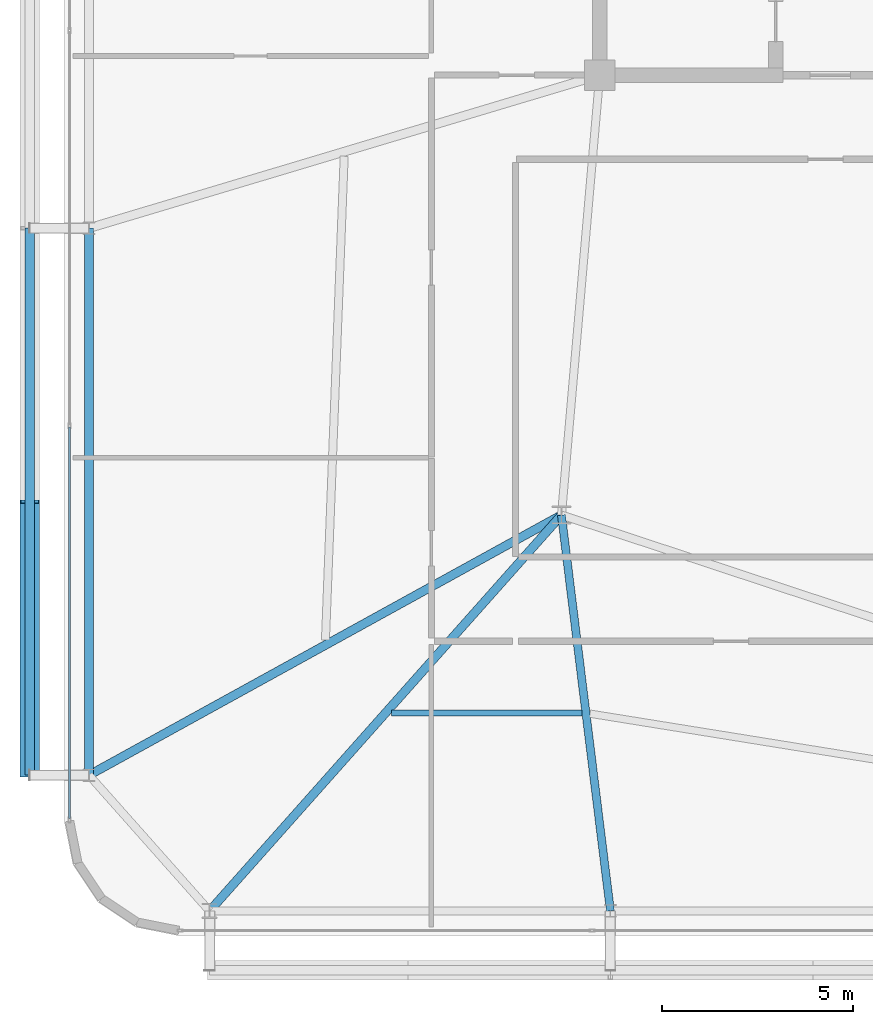
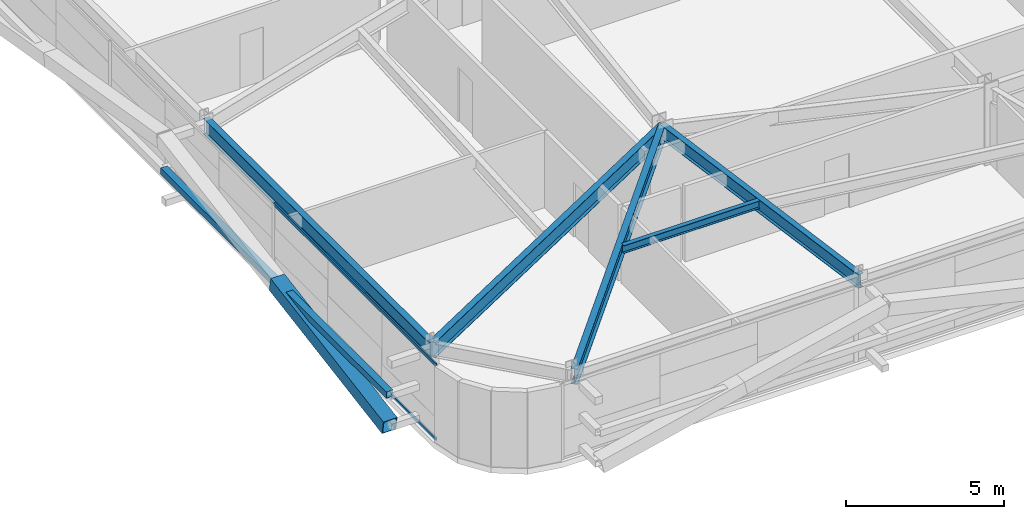
# One storey, part 7 of 44: 5 beams, 4 members, 1 element without a shape of its own.
"""IFC4 building model written with IfcOpenShell, lengths in metres."""

import ifcopenshell
import ifcopenshell.guid

model = None  # the IFC model being written
_history = None  # IfcOwnerHistory: only IFC2X3 demands one
_inside = {}  # id of a spatial element -> (the spatial element, [elements in it])
_under = {}  # id of a project, library or spatial element -> (it, [spatial elements below it])
_declared = {}  # id of a project -> (the project, [libraries it declares])
_typed = {}  # id of a type object -> (the type object, [elements of that type])
_made_of = {}  # id of a material, layer set ... -> (it, [elements and type objects made of it])


def new_model(schema):
    """Start an empty IFC model of exactly this schema.

    Asked for "IFC4X3", IfcOpenShell would pick the latest addendum, in which some entities
    have other attributes; the version numbers below select the first issue.
    IFC2X3 requires an IfcOwnerHistory on every rooted entity: one is made here for all.
    """
    global model, _history
    if schema == "IFC4X3":
        model = ifcopenshell.file(schema_version=(4, 3, 0, 0))
    else:
        model = ifcopenshell.file(schema=schema)
    _inside.clear()
    _under.clear()
    _declared.clear()
    _typed.clear()
    _made_of.clear()
    _history = None
    if model.schema == "IFC2X3":
        org = make("IfcOrganization", Name="unknown")
        user = make(
            "IfcPersonAndOrganization",
            ThePerson=make("IfcPerson", FamilyName="unknown"),
            TheOrganization=org,
        )
        app = make(
            "IfcApplication",
            ApplicationDeveloper=org,
            Version="unknown",
            ApplicationFullName="unknown",
            ApplicationIdentifier="unknown",
        )
        _history = make(
            "IfcOwnerHistory",
            OwningUser=user,
            OwningApplication=app,
            ChangeAction="ADDED",
            CreationDate=0,
        )
    return model


def make(cls, **values):
    """One entity of the class cls with the attributes given. An attribute that is None is left unset."""
    return model.create_entity(
        cls, **{name: value for name, value in values.items() if value is not None}
    )


def rooted(cls, **values):
    """An entity with a GlobalId (a new one), such as an element, a storey or a relation."""
    return make(cls, GlobalId=ifcopenshell.guid.new(), OwnerHistory=_history, **values)


def si_unit(unit_type, name, prefix=None):
    """IfcSIUnit, for example si_unit("LENGTHUNIT", "METRE", prefix="MILLI")."""
    return make("IfcSIUnit", UnitType=unit_type, Prefix=prefix, Name=name)


def assignment(units):
    """IfcUnitAssignment: the units of a project."""
    return None if units is None else make("IfcUnitAssignment", Units=units)


def point(xyz):
    """IfcCartesianPoint."""
    return None if xyz is None else make("IfcCartesianPoint", Coordinates=xyz)


def direction(xyz):
    """IfcDirection."""
    return None if xyz is None else make("IfcDirection", DirectionRatios=xyz)


def frame(location, z_axis=None, x_axis=None):
    """IfcAxis2Placement3D, a coordinate frame: its origin and axes. An axis left out is left unset."""
    return make(
        "IfcAxis2Placement3D",
        Location=point(location),
        Axis=direction(z_axis),
        RefDirection=direction(x_axis),
    )


def frame_2d(location, x_axis=None):
    """IfcAxis2Placement2D, a coordinate frame in the plane: its origin and x axis."""
    return make(
        "IfcAxis2Placement2D", Location=point(location), RefDirection=direction(x_axis)
    )


def origin():
    """The frame at (0, 0, 0) with its axes left unset."""
    return frame((0.0, 0.0, 0.0))


def origin_2d():
    """The frame at (0, 0) in the plane with its x axis left unset."""
    return frame_2d((0.0, 0.0))


def place(relative_to, where):
    """IfcLocalPlacement: puts the frame where relative to a parent placement (None: the world)."""
    return make(
        "IfcLocalPlacement", PlacementRelTo=relative_to, RelativePlacement=where
    )


def context(
    kind, dimensions, precision=None, world=None, true_north=None, identifier=None
):
    """IfcGeometricRepresentationContext, for example the 3D "Model" context."""
    return make(
        "IfcGeometricRepresentationContext",
        ContextIdentifier=identifier,
        ContextType=kind,
        CoordinateSpaceDimension=dimensions,
        Precision=precision,
        WorldCoordinateSystem=world,
        TrueNorth=true_north,
    )


def subcontext(parent, identifier, kind, view, scale=None):
    """IfcGeometricRepresentationSubContext, for example "Body" below "Model"."""
    return make(
        "IfcGeometricRepresentationSubContext",
        ContextIdentifier=identifier,
        ContextType=kind,
        ParentContext=parent,
        TargetScale=scale,
        TargetView=view,
    )


def project(units=None, contexts=None):
    """IfcProject with its units and contexts."""
    return rooted(
        "IfcProject",
        Name="project",
        RepresentationContexts=contexts,
        UnitsInContext=assignment(units),
    )


def spatial(cls, under=None, at=None, **own):
    """A site, building, storey or space (cls), placed at a placement, below another one or the project."""
    s = rooted(cls, ObjectPlacement=at, **own)
    if under is not None:
        _under.setdefault(under.id(), (under, []))[1].append(s)
    return s


def profile(cls, at=None, kind="AREA", **sizes):
    """A parametric profile (cls). Its sizes go by their IFC names, for example OverallWidth=200.0."""
    return make(cls, ProfileType=kind, Position=at, **sizes)


def hollow_rectangle(**sizes):
    """IfcRectangleHollowProfileDef."""
    return profile("IfcRectangleHollowProfileDef", **sizes)


def i_section(**sizes):
    """IfcIShapeProfileDef."""
    return profile("IfcIShapeProfileDef", **sizes)


def extrude(swept, where, along, depth):
    """IfcExtrudedAreaSolid: the profile swept, set in the frame where, extruded along a direction by depth."""
    return make(
        "IfcExtrudedAreaSolid",
        SweptArea=swept,
        Position=where,
        ExtrudedDirection=direction(along),
        Depth=depth,
    )


def shape(context_of_items, identifier, shape_type, items):
    """IfcShapeRepresentation: the items that make up one representation, for example the "Body"."""
    return make(
        "IfcShapeRepresentation",
        ContextOfItems=context_of_items,
        RepresentationIdentifier=identifier,
        RepresentationType=shape_type,
        Items=items,
    )


def source(mapping_origin, context_of_items, identifier, shape_type, items):
    """IfcRepresentationMap: a shape defined once, which mapped items show again and again."""
    return make(
        "IfcRepresentationMap",
        MappingOrigin=mapping_origin,
        MappedRepresentation=shape(context_of_items, identifier, shape_type, items),
    )


def transform(
    local_origin,
    x_axis=None,
    y_axis=None,
    z_axis=None,
    scale=None,
    scale2=None,
    scale3=None,
    uniform=True,
):
    """IfcCartesianTransformationOperator3D, or its non-uniform kind. x_axis, y_axis, z_axis: its Axis1, 2, 3."""
    if uniform:
        return make(
            "IfcCartesianTransformationOperator3D",
            Axis1=direction(x_axis),
            Axis2=direction(y_axis),
            LocalOrigin=point(local_origin),
            Scale=scale,
            Axis3=direction(z_axis),
        )
    return make(
        "IfcCartesianTransformationOperator3DnonUniform",
        Axis1=direction(x_axis),
        Axis2=direction(y_axis),
        LocalOrigin=point(local_origin),
        Scale=scale,
        Axis3=direction(z_axis),
        Scale2=scale2,
        Scale3=scale3,
    )


def mapped(mapping_source, mapping_target):
    """IfcMappedItem: shows the shape of a source again, moved by a transform."""
    return make(
        "IfcMappedItem", MappingSource=mapping_source, MappingTarget=mapping_target
    )


def material(Name=None, Category=None):
    """IfcMaterial."""
    return make("IfcMaterial", Name=Name, Category=Category)


def layer(
    of_material, thickness, ventilated=None, Name=None, Category=None, Priority=None
):
    """IfcMaterialLayer: one layer of a wall or slab, of a material (None: an air gap)."""
    return make(
        "IfcMaterialLayer",
        Material=of_material,
        LayerThickness=thickness,
        IsVentilated=ventilated,
        Name=Name,
        Category=Category,
        Priority=Priority,
    )


def layer_set(layers, Name=None):
    """IfcMaterialLayerSet."""
    return make("IfcMaterialLayerSet", MaterialLayers=layers, LayerSetName=Name)


def material_profile(
    of_material, cross_section, Name=None, Category=None, Priority=None
):
    """IfcMaterialProfile: a cross section and its material."""
    return make(
        "IfcMaterialProfile",
        Name=Name,
        Material=of_material,
        Profile=cross_section,
        Priority=Priority,
        Category=Category,
    )


def profile_set(profiles, Name=None, composite=None):
    """IfcMaterialProfileSet."""
    return make(
        "IfcMaterialProfileSet",
        Name=Name,
        MaterialProfiles=profiles,
        CompositeProfile=composite,
    )


def made_of(thing, what):
    """Note that an element or type object is made of a material, layer set ...; save() writes the relation."""
    if what is not None:
        _made_of.setdefault(what.id(), (what, []))[1].append(thing)
    return thing


def type_object(cls, material=None, **own):
    """A type object (cls), such as IfcWallType, which elements share."""
    return made_of(rooted(cls, **own), material)


def element(
    cls,
    number,
    at=None,
    inside=None,
    cuts=None,
    type_object=None,
    material=None,
    context=None,
    identifier="Body",
    shape_type=None,
    held_by="IfcProductDefinitionShape",
    body=None,
    shapes=None,
    **own,
):
    """One element of the class cls, such as IfcWall. Its Tag is "e" and its number.

    at: its placement. inside: the storey or other place that contains it. cuts: it is an
    opening in that element (IfcRelVoidsElement). A single representation is given by context,
    identifier, shape_type and body (its items); several are given by shapes. held_by: the class
    of the entity that holds the representations. save() writes the other relations.
    """
    e = rooted(cls, Tag="e%d" % number, ObjectPlacement=at, **own)
    if body is not None:
        shapes = [shape(context, identifier, shape_type, body)]
    if shapes is not None:
        e.Representation = make(held_by, Representations=shapes)
    if inside is not None:
        _inside.setdefault(inside.id(), (inside, []))[1].append(e)
    if cuts is not None:
        rooted(
            "IfcRelVoidsElement", RelatingBuildingElement=cuts, RelatedOpeningElement=e
        )
    if type_object is not None:
        _typed.setdefault(type_object.id(), (type_object, []))[1].append(e)
    return made_of(e, material)


def aggregate(whole, parts):
    """IfcRelAggregates: a whole, such as a stair, and the parts it consists of."""
    return rooted("IfcRelAggregates", RelatingObject=whole, RelatedObjects=parts)


def save(model, path):
    """Write the relations noted so far, then the file.

    IfcRelAggregates (storeys below a building ...), IfcRelContainedInSpatialStructure (elements
    in a storey), IfcRelDefinesByType, IfcRelAssociatesMaterial and IfcRelDeclares: one each for
    every whole, place, type object, material and project.
    """
    for whole, parts in _under.values():
        aggregate(whole, parts)
    for where, things in _inside.values():
        rooted(
            "IfcRelContainedInSpatialStructure",
            RelatedElements=things,
            RelatingStructure=where,
        )
    for kind, things in _typed.values():
        rooted("IfcRelDefinesByType", RelatedObjects=things, RelatingType=kind)
    for what, things in _made_of.values():
        rooted("IfcRelAssociatesMaterial", RelatedObjects=things, RelatingMaterial=what)
    for by, libraries in _declared.values():
        rooted("IfcRelDeclares", RelatingContext=by, RelatedDefinitions=libraries)
    model.write(path)


model = new_model("IFC4")

# Units and contexts
model_context = context("Model", 3, precision=1e-05, world=origin(), true_north=direction((0.0, 1.0)))
body_context = subcontext(model_context, "Body", "Model", "MODEL_VIEW")
ifc_project = project(units=[si_unit("LENGTHUNIT", "METRE"), si_unit("AREAUNIT", "SQUARE_METRE"), si_unit("VOLUMEUNIT", "CUBIC_METRE"), si_unit("PLANEANGLEUNIT", "RADIAN"), si_unit("MASSUNIT", "GRAM", prefix="KILO")], contexts=[model_context])

# Site, building, storey
site_placement = place(None, origin())
site = spatial("IfcSite", under=ifc_project, at=site_placement, CompositionType="ELEMENT")
building_placement = place(site_placement, origin())
building = spatial("IfcBuilding", under=site, at=building_placement, Name="Taldren Reach Tower", CompositionType="ELEMENT")
storey_placement = place(building_placement, frame((0.0, 0.0, 42.0)))
storey = spatial("IfcBuildingStorey", under=building, at=storey_placement, Name="L12", CompositionType="ELEMENT", Elevation=42.0)

# Beams
ifc_material_1 = material(Name="Steel Gr 350 (350PLUS)", Category="steel")
ifc_material_profile_1 = material_profile(ifc_material_1, i_section(OverallWidth=0.22802734375, OverallDepth=0.60205078125, WebThickness=0.010498046875, FlangeThickness=0.014892578125, at=origin_2d()), Name="610UB101")
ifc_profile_set_1 = profile_set([ifc_material_profile_1], Name="Steel Gr 350 (350PLUS)")
beam_type_1 = type_object("IfcBeamType", Name="BM-UB610B", PredefinedType="BEAM", material=ifc_profile_set_1)
shared_shape_1 = source(origin(), body_context, "Body", "SweptSolid", [
    extrude(i_section(OverallWidth=0.22802734375, OverallDepth=0.60205078125, WebThickness=0.010498046875, FlangeThickness=0.014892578125, at=origin_2d()), origin(), (0.0, 0.0, 1.0), 14.300048828125),
])
beam_1_placement = place(storey_placement, frame((5.64990234375, 20.0, 2.62890625), z_axis=(0.0, -1.0, 0.0), x_axis=(1.0, 0.0, 0.0)))
element("IfcBeam", 1, at=beam_1_placement, inside=storey, type_object=beam_type_1, Name="Perimeter gable girder B1 W2-W1 L12", PredefinedType="BEAM", context=body_context, shape_type="MappedRepresentation", body=[
    mapped(shared_shape_1, transform((0.0, 0.0, 0.0), scale=1.0)),
])
shared_shape_2 = source(origin(), body_context, "Body", "SweptSolid", [
    extrude(i_section(OverallWidth=0.22802734375, OverallDepth=0.60205078125, WebThickness=0.010498046875, FlangeThickness=0.014892578125, at=origin_2d()), origin(), (0.0, 0.0, 1.0), 13.847900390625),
])
beam_2_placement = place(storey_placement, frame((18.0, 12.5, 2.62890625), z_axis=(-0.664358367375, -0.747414182164, 0.0), x_axis=(0.747414182164, -0.664358367375, 0.0)))
element("IfcBeam", 2, at=beam_2_placement, inside=storey, type_object=beam_type_1, Name="Primary floor girder B1-S1 L12", PredefinedType="BEAM", context=body_context, shape_type="MappedRepresentation", body=[
    mapped(shared_shape_2, transform((0.0, 0.0, 0.0), scale=1.0)),
])
ifc_material_profile_2 = material_profile(ifc_material_1, i_section(OverallWidth=0.208984375, OverallDepth=0.532958984375, WebThickness=0.01025390625, FlangeThickness=0.015625, at=origin_2d()), Name="530UB92.4")
ifc_profile_set_2 = profile_set([ifc_material_profile_2], Name="Steel Gr 350 (350PLUS)")
beam_type_2 = type_object("IfcBeamType", Name="BM-UB530A", PredefinedType="BEAM", material=ifc_profile_set_2)
shared_shape_3 = source(origin(), body_context, "Body", "SweptSolid", [
    extrude(i_section(OverallWidth=0.208984375, OverallDepth=0.532958984375, WebThickness=0.01025390625, FlangeThickness=0.015625, at=origin_2d()), origin(), (0.0, 0.0, 1.0), 10.428955078125),
])
beam_3_placement = place(storey_placement, frame((18.0, 12.5, 2.66357421875), z_axis=(0.122738080664, -0.992439098159, 0.0), x_axis=(0.992439098159, 0.122738080664, 0.0)))
element("IfcBeam", 3, at=beam_3_placement, inside=storey, type_object=beam_type_2, Name="Primary floor girder B1-S2 L12", PredefinedType="BEAM", context=body_context, shape_type="MappedRepresentation", body=[
    mapped(shared_shape_3, transform((0.0, 0.0, 0.0), scale=1.0)),
])
shared_shape_4 = source(origin(), body_context, "Body", "SweptSolid", [
    extrude(i_section(OverallWidth=0.22802734375, OverallDepth=0.60205078125, WebThickness=0.010498046875, FlangeThickness=0.014892578125, at=origin_2d()), origin(), (0.0, 0.0, 1.0), 14.098388671875),
])
beam_4_placement = place(storey_placement, frame((18.0, 12.5, 2.62890625), z_axis=(-0.875991325783, -0.482326857175, 0.0), x_axis=(0.482326857175, -0.875991325783, 0.0)))
element("IfcBeam", 4, at=beam_4_placement, inside=storey, type_object=beam_type_1, Name="Primary floor girder B1-W1 L12", PredefinedType="BEAM", context=body_context, shape_type="MappedRepresentation", body=[
    mapped(shared_shape_4, transform((0.0, 0.0, 0.0), scale=1.0)),
])
ifc_material_2 = material(Name="Steel Gr 300 (300PLUS, 300 MPa)", Category="steel")
ifc_material_profile_3 = material_profile(ifc_material_2, i_section(OverallWidth=0.166015625, OverallDepth=0.306884765625, WebThickness=0.006591796875, FlangeThickness=0.01171875, at=origin_2d()), Name="310UB46.2")
ifc_profile_set_3 = profile_set([ifc_material_profile_3], Name="Steel Gr 300 (300PLUS, 300 MPa)")
beam_type_3 = type_object("IfcBeamType", Name="JS-UB310", PredefinedType="JOIST", material=ifc_profile_set_3)
shared_shape_5 = source(origin(), body_context, "Body", "SweptSolid", [
    extrude(i_section(OverallWidth=0.166015625, OverallDepth=0.306884765625, WebThickness=0.006591796875, FlangeThickness=0.01171875, at=origin_2d()), origin(), (0.0, 0.0, 1.0), 4.982177734375),
])
beam_5_placement = place(storey_placement, frame((13.552490234375, 7.324951171875, 2.776611328125), z_axis=(1.0, 0.0, 0.0), x_axis=(0.0, 1.0, 0.0)))
element("IfcBeam", 5, at=beam_5_placement, inside=storey, type_object=beam_type_3, Name="Secondary floor joist B1 J1 L12", PredefinedType="JOIST", context=body_context, shape_type="MappedRepresentation", body=[
    mapped(shared_shape_5, transform((0.0, 0.0, 0.0), scale=1.0)),
])

# Members
ifc_material_3 = material(Name="Steel Gr 450 (C450L0)", Category="steel")
ifc_material_profile_4 = material_profile(ifc_material_3, hollow_rectangle(XDim=0.510009765625, YDim=0.510009765625, WallThickness=0.02001953125, at=origin_2d()), Name="510x510x20.0SHS")
ifc_profile_set_4 = profile_set([ifc_material_profile_4], Name="Steel Gr 450 (C450L0)")
member_type_1 = type_object("IfcMemberType", Name="MB-EXO508", PredefinedType="BRACE", material=ifc_profile_set_4)
shared_shape_6 = source(origin(), body_context, "Body", "SweptSolid", [
    extrude(hollow_rectangle(XDim=0.510009765625, YDim=0.510009765625, WallThickness=0.02001953125, at=origin_2d()), origin(), (0.0, 0.0, 1.0), 7.252685546875),
])
member_1_placement = place(storey_placement, frame((4.10009765625, 5.699951171875, 0.219970703125), z_axis=(0.0, 0.985865800628, 0.167536930711), x_axis=(-1.0, 0.0, 0.0)))
element("IfcMember", 6, at=member_1_placement, inside=storey, type_object=member_type_1, Name="Exoskeleton Diagrid Brace B1-W1 L12", PredefinedType="BRACE", context=body_context, shape_type="MappedRepresentation", body=[
    mapped(shared_shape_6, transform((0.0, 0.0, 0.0), scale=1.0)),
])
ifc_material_4 = material(Name="Steel Gr 350 (C350L0)", Category="steel")
ifc_material_profile_5 = material_profile(ifc_material_4, hollow_rectangle(XDim=0.25, YDim=0.25, WallThickness=0.010009765625, at=origin_2d()), Name="250x250x10.0SHS")
ifc_profile_set_5 = profile_set([ifc_material_profile_5], Name="Steel Gr 350 (C350L0)")
member_type_2 = type_object("IfcMemberType", Name="MB-POST250", PredefinedType="POST", material=ifc_profile_set_5)
shared_shape_7 = source(origin(), body_context, "Body", "SweptSolid", [
    extrude(hollow_rectangle(XDim=0.25, YDim=0.25, WallThickness=0.010009765625, at=origin_2d()), origin(), (0.0, 0.0, 1.0), 14.300048828125),
])
member_2_placement = place(storey_placement, frame((4.10009765625, 5.699951171875, 1.43505859375), z_axis=(0.0, 1.0, 0.0), x_axis=(-1.0, 0.0, 0.0)))
element("IfcMember", 7, at=member_2_placement, inside=storey, type_object=member_type_2, Name="Exoskeleton mid-height ring chord B1-W1 L12", PredefinedType="POST", context=body_context, shape_type="MappedRepresentation", body=[
    mapped(shared_shape_7, transform((0.0, 0.0, 0.0), scale=1.0)),
])

# Curtain wall, members
ifc_material_5 = material(Name="Aluminium and Low-E Glass Unitised System", Category="aluminium")
ifc_layer = layer(ifc_material_5, 0.159912109375)
ifc_layer_set = layer_set([ifc_layer], Name="Aluminium and Low-E Glass Unitised System")
curtain_wall_type = type_object("IfcCurtainWallType", Name="CW-SYS-2", PredefinedType="NOTDEFINED", material=ifc_layer_set)
curtain_wall_placement = place(storey_placement, origin())
curtain_wall = element("IfcCurtainWall", 8, at=curtain_wall_placement, inside=storey, type_object=curtain_wall_type, Name="Unitised curtain wall CW-L12-W", PredefinedType="NOTDEFINED")
ifc_material_6 = material(Name="Anodised Aluminium 6063-T6", Category="aluminium")
ifc_material_profile_6 = material_profile(ifc_material_6, hollow_rectangle(XDim=0.054931640625, YDim=0.1201171875, WallThickness=0.0029296875, at=origin_2d()), Name="ALU-120x55x3RHS")
ifc_profile_set_6 = profile_set([ifc_material_profile_6], Name="Anodised Aluminium 6063-T6")
member_type_3 = type_object("IfcMemberType", Name="CW-TRN-135", PredefinedType="USERDEFINED", material=ifc_profile_set_6)
shared_shape_8 = source(origin(), body_context, "Body", "SweptSolid", [
    extrude(hollow_rectangle(XDim=0.054931640625, YDim=0.1201171875, WallThickness=0.0029296875, at=origin_2d()), origin(), (0.0, 0.0, 1.0), 10.23583984375),
])
member_3_placement = place(storey_placement, frame((5.139892578125, 14.80078125, 0.027587890625), z_axis=(0.0, -1.0, 0.0), x_axis=(1.0, 0.0, 0.0)))
member_3 = element("IfcMember", 9, at=member_3_placement, type_object=member_type_3, Name="CW-2 transom 3.1", ObjectType="TRANSOM", PredefinedType="USERDEFINED", context=body_context, shape_type="MappedRepresentation", body=[
    mapped(shared_shape_8, transform((0.0, 0.0, 0.0), scale=1.0)),
])
member_4_placement = place(storey_placement, frame((5.139892578125, 14.80078125, 2.902587890625), z_axis=(0.0, -1.0, 0.0), x_axis=(1.0, 0.0, 0.0)))
member_4 = element("IfcMember", 10, at=member_4_placement, type_object=member_type_3, Name="CW-2 transom 3.2", ObjectType="TRANSOM", PredefinedType="USERDEFINED", context=body_context, shape_type="MappedRepresentation", body=[
    mapped(shared_shape_8, transform((0.0, 0.0, 0.0), scale=1.0)),
])
aggregate(curtain_wall, [member_3, member_4])

save(model, "model.ifc")
